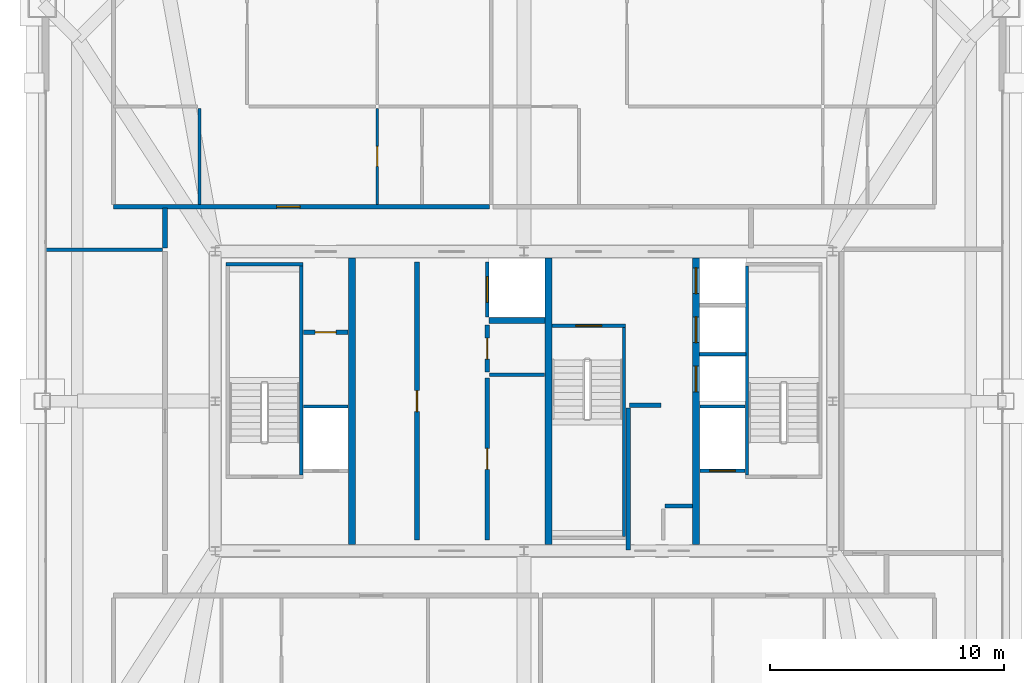
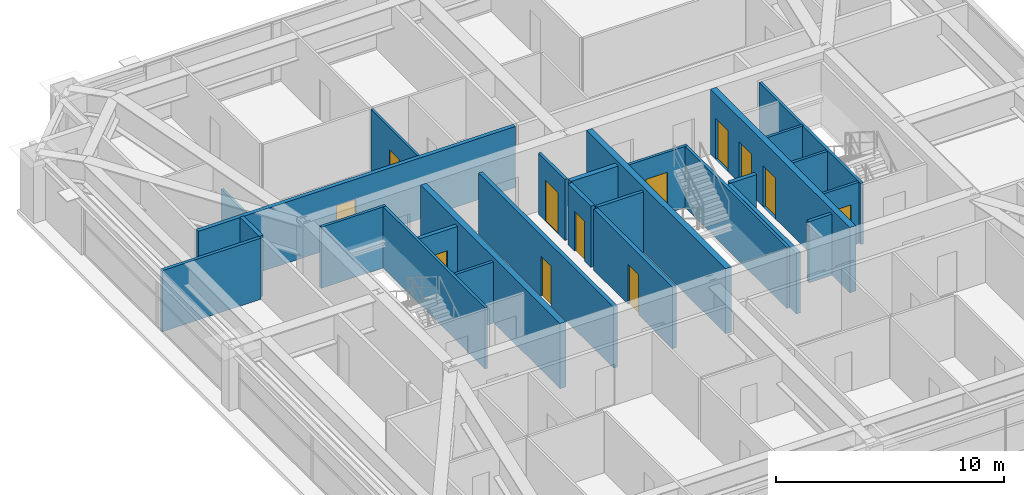
# One storey, part 30 of 33: 27 walls, 12 doors, 12 openings.
"""IFC4 building model written with IfcOpenShell, lengths in metres."""

from ifc_helpers import new_model, si_unit, direction, frame, frame_2d, origin, place, context, subcontext, project, spatial, rectangle, extrude, source, transform, mapped, material, layer, layer_set, type_object, element, fill, save


model = new_model("IFC4")

# Units and contexts
model_context = context("Model", 3, precision=1e-05, world=origin(), true_north=direction((0.0, 1.0)))
body_context = subcontext(model_context, "Body", "Model", "MODEL_VIEW")
ifc_project = project(units=[si_unit("LENGTHUNIT", "METRE"), si_unit("AREAUNIT", "SQUARE_METRE"), si_unit("VOLUMEUNIT", "CUBIC_METRE"), si_unit("PLANEANGLEUNIT", "RADIAN"), si_unit("MASSUNIT", "GRAM", prefix="KILO"), si_unit("THERMODYNAMICTEMPERATUREUNIT", "KELVIN"), si_unit("POWERUNIT", "WATT")], contexts=[model_context])

# Site, building, storey
site_placement = place(None, origin())
site = spatial("IfcSite", under=ifc_project, at=site_placement, CompositionType="ELEMENT")
building_placement = place(site_placement, origin())
building = spatial("IfcBuilding", under=site, at=building_placement, Name="Yuzanri Waterfront Tower", CompositionType="ELEMENT")
storey_placement = place(building_placement, frame((0.0, 0.0, 282.10009765625)))
storey = spatial("IfcBuildingStorey", under=building, at=storey_placement, Name="L75", CompositionType="ELEMENT", Elevation=282.10009765625)

# Wall, opening, door
ifc_material_1 = material(Name="Moisture-Resistant Gypsum Stud Wall", Category="gypsum")
ifc_layer_1 = layer(ifc_material_1, 0.1201171875)
ifc_layer_set_1 = layer_set([ifc_layer_1], Name="Moisture-Resistant Gypsum Stud Wall")
wall_type_1 = type_object("IfcWallType", Name="Bathroom and Kitchen Wet Partition 120", PredefinedType="PARTITIONING", material=ifc_layer_set_1)
wall_1_placement = place(storey_placement, frame((30.722900390625, 34.2099609375, 0.0), z_axis=(0.0, 0.0, 1.0), x_axis=(0.0, 1.0, 0.0)))
wall_1 = element("IfcWall", 1, at=wall_1_placement, inside=storey, type_object=wall_type_1, Name="L75 Partition UW-L75-HN1-SUB-4-W", PredefinedType="PARTITIONING", context=body_context, shape_type="SweptSolid", body=[
    extrude(rectangle(XDim=4.110107421875, YDim=0.1201171875, at=frame_2d((2.05517578125, 0.0))), origin(), (0.0, 0.0, 1.0), 3.27978515625),
])
opening_1_placement = place(wall_1_placement, frame((1.6298828125, 0.0, 0.0)))
opening_1 = element("IfcOpeningElement", 2, at=opening_1_placement, cuts=wall_1, Name="Opening ID-0850", PredefinedType="OPENING", context=body_context, shape_type="SweptSolid", body=[
    extrude(rectangle(XDim=0.85009765625, YDim=2.10009765625, at=frame_2d((0.425048828125, 1.050048828125))), frame((0.0, 0.074951171875, 0.0), z_axis=(0.0, -1.0, 0.0), x_axis=(1.0, 0.0, 0.0)), (0.0, 0.0, 1.0), 0.14990234375),
])
ifc_material_2 = material(Name="Moisture-Resistant Lacquered Timber", Category="wood")
door_type_1 = type_object("IfcDoorType", Name="En-Suite Bathroom and Kitchen Swing Door 850x2100", OperationType="NOTDEFINED", PredefinedType="DOOR", material=ifc_material_2)
shared_shape_1 = source(origin(), body_context, "Body", "SweptSolid", [
    extrude(rectangle(XDim=0.85009765625, YDim=2.10009765625, at=frame_2d((0.425048828125, 1.050048828125))), frame((0.0, 0.02490234375, 0.0), z_axis=(0.0, -1.0, 0.0), x_axis=(1.0, 0.0, 0.0)), (0.0, 0.0, 1.0), 0.050048828125),
])
door_1_placement = place(opening_1_placement, origin())
door_1 = element("IfcDoor", 3, at=door_1_placement, inside=storey, type_object=door_type_1, Name="L75 Suite Interior Room Door", OperationType="SINGLE_SWING_LEFT", OverallHeight=2.10009765625, OverallWidth=0.85009765625, PredefinedType="DOOR", context=body_context, shape_type="MappedRepresentation", body=[
    mapped(shared_shape_1, transform((0.0, 0.0, 0.0), scale=1.0)),
])
fill(opening_1, door_1)

# Wall, openings, doors
ifc_material_3 = material(Name="Concrete C50", Category="concrete")
ifc_layer_2 = layer(ifc_material_3, 0.300048828125)
ifc_layer_set_2 = layer_set([ifc_layer_2], Name="Concrete C50")
wall_type_2 = type_object("IfcWallType", Name="Concrete C50 Internal Core Shaft Structural Wall 300", PredefinedType="SOLIDWALL", material=ifc_layer_set_2)
wall_2_placement = place(storey_placement, frame((44.35009765625, 19.675048828125, 0.0), z_axis=(0.0, 0.0, 1.0), x_axis=(0.0, 1.0, 0.0)))
wall_2 = element("IfcWall", 4, at=wall_2_placement, inside=storey, type_object=wall_type_2, Name="L75 Core Internal Structural Web Wall 3", PredefinedType="SOLIDWALL", context=body_context, shape_type="SweptSolid", body=[
    extrude(rectangle(XDim=12.25, YDim=0.300048828125, at=frame_2d((6.125, 0.0))), origin(), (0.0, 0.0, 1.0), 3.5),
])
opening_2_placement = place(wall_2_placement, frame((6.52490234375, 0.0, 0.0)))
opening_2 = element("IfcOpeningElement", 5, at=opening_2_placement, cuts=wall_2, Name="Opening LD-PL-09", PredefinedType="OPENING", context=body_context, shape_type="SweptSolid", body=[
    extrude(rectangle(XDim=1.10009765625, YDim=2.199951171875, at=frame_2d((0.550048828125, 1.10009765625))), frame((0.0, 0.1650390625, 0.0), z_axis=(0.0, -1.0, 0.0), x_axis=(1.0, 0.0, 0.0)), (0.0, 0.0, 1.0), 0.329833984375),
])
opening_3_placement = place(wall_2_placement, frame((8.625, 0.0, 0.0)))
opening_3 = element("IfcOpeningElement", 6, at=opening_3_placement, cuts=wall_2, Name="Opening LD-PL-10", PredefinedType="OPENING", context=body_context, shape_type="SweptSolid", body=[
    extrude(rectangle(XDim=1.10009765625, YDim=2.199951171875, at=frame_2d((0.550048828125, 1.10009765625))), frame((0.0, 0.1650390625, 0.0), z_axis=(0.0, -1.0, 0.0), x_axis=(1.0, 0.0, 0.0)), (0.0, 0.0, 1.0), 0.329833984375),
])
opening_4_placement = place(wall_2_placement, frame((10.72509765625, 0.0, 0.0)))
opening_4 = element("IfcOpeningElement", 7, at=opening_4_placement, cuts=wall_2, Name="Opening LD-PL-11", PredefinedType="OPENING", context=body_context, shape_type="SweptSolid", body=[
    extrude(rectangle(XDim=1.10009765625, YDim=2.199951171875, at=frame_2d((0.550048828125, 1.10009765625))), frame((0.0, 0.1650390625, 0.0), z_axis=(0.0, -1.0, 0.0), x_axis=(1.0, 0.0, 0.0)), (0.0, 0.0, 1.0), 0.329833984375),
])
ifc_material_4 = material(Name="Brushed Bronze and Stainless Steel Cab", Category="steel")
door_type_2 = type_object("IfcDoorType", Name="Center-Parting Bronze Lift Landing Sliding Door 1100x2200", OperationType="NOTDEFINED", PredefinedType="DOOR", material=ifc_material_4)
shared_shape_2 = source(origin(), body_context, "Body", "SweptSolid", [
    extrude(rectangle(XDim=1.10009765625, YDim=2.199951171875, at=frame_2d((0.550048828125, 1.10009765625))), frame((0.0, 0.02490234375, 0.0), z_axis=(0.0, -1.0, 0.0), x_axis=(1.0, 0.0, 0.0)), (0.0, 0.0, 1.0), 0.050048828125),
])
door_2_placement = place(opening_2_placement, origin())
door_2 = element("IfcDoor", 8, at=door_2_placement, inside=storey, type_object=door_type_2, Name="L75 PL-09 Lift Landing Sliding Door", OperationType="SLIDING_TO_LEFT", OverallHeight=2.199951171875, OverallWidth=1.10009765625, PredefinedType="DOOR", context=body_context, shape_type="MappedRepresentation", body=[
    mapped(shared_shape_2, transform((0.0, 0.0, 0.0), scale=1.0)),
])
fill(opening_2, door_2)
door_3_placement = place(opening_3_placement, origin())
door_3 = element("IfcDoor", 9, at=door_3_placement, inside=storey, type_object=door_type_2, Name="L75 PL-10 Lift Landing Sliding Door", OperationType="SLIDING_TO_RIGHT", OverallHeight=2.199951171875, OverallWidth=1.10009765625, PredefinedType="DOOR", context=body_context, shape_type="MappedRepresentation", body=[
    mapped(shared_shape_2, transform((0.0, 0.0, 0.0), scale=1.0)),
])
fill(opening_3, door_3)
door_4_placement = place(opening_4_placement, origin())
door_4 = element("IfcDoor", 10, at=door_4_placement, inside=storey, type_object=door_type_2, Name="L75 PL-11 Lift Landing Sliding Door", OperationType="SLIDING_TO_LEFT", OverallHeight=2.199951171875, OverallWidth=1.10009765625, PredefinedType="DOOR", context=body_context, shape_type="MappedRepresentation", body=[
    mapped(shared_shape_2, transform((0.0, 0.0, 0.0), scale=1.0)),
])
fill(opening_4, door_4)

# Wall, opening, door
ifc_material_5 = material(Name="Concrete C40", Category="concrete")
ifc_layer_3 = layer(ifc_material_5, 0.139892578125)
ifc_layer_set_3 = layer_set([ifc_layer_3], Name="Concrete C40")
wall_type_3 = type_object("IfcWallType", Name="Core Stair Liner and Hoistway Shaft Wall 140", PredefinedType="SOLIDWALL", material=ifc_layer_set_3)
wall_3_placement = place(storey_placement, frame((44.52001953125, 22.830078125, 0.0), z_axis=(0.0, 0.0, 1.0), x_axis=(1.0, 0.0, 0.0)))
wall_3 = element("IfcWall", 11, at=wall_3_placement, inside=storey, type_object=wall_type_3, Name="L75 Lift FL-02 Front Shaft Wall", PredefinedType="SOLIDWALL", context=body_context, shape_type="SweptSolid", body=[
    extrude(rectangle(XDim=1.919921875, YDim=0.139892578125, at=frame_2d((0.9599609375, 0.0))), origin(), (0.0, 0.0, 1.0), 3.27978515625),
])
opening_5_placement = place(wall_3_placement, frame((0.409912109375, 0.0, 0.0)))
opening_5 = element("IfcOpeningElement", 12, at=opening_5_placement, cuts=wall_3, Name="Opening LD-FL-02", PredefinedType="OPENING", context=body_context, shape_type="SweptSolid", body=[
    extrude(rectangle(XDim=1.10009765625, YDim=2.199951171875, at=frame_2d((0.550048828125, 1.10009765625))), frame((0.0, 0.0849609375, 0.0), z_axis=(0.0, -1.0, 0.0), x_axis=(1.0, 0.0, 0.0)), (0.0, 0.0, 1.0), 0.169677734375),
])
door_5_placement = place(opening_5_placement, origin())
door_5 = element("IfcDoor", 13, at=door_5_placement, inside=storey, type_object=door_type_2, Name="L75 FL-02 Lift Landing Sliding Door", OperationType="SLIDING_TO_RIGHT", OverallHeight=2.199951171875, OverallWidth=1.10009765625, PredefinedType="DOOR", context=body_context, shape_type="MappedRepresentation", body=[
    mapped(shared_shape_2, transform((0.0, 0.0, 0.0), scale=1.0)),
])
fill(opening_5, door_5)

wall_4_placement = place(storey_placement, frame((35.429931640625, 29.39990234375, 0.0), z_axis=(0.0, 0.0, 1.0), x_axis=(0.0, 1.0, 0.0)))
wall_4 = element("IfcWall", 14, at=wall_4_placement, inside=storey, type_object=wall_type_3, Name="L75 Lift SL-02 Front Shaft Wall", PredefinedType="SOLIDWALL", context=body_context, shape_type="SweptSolid", body=[
    extrude(rectangle(XDim=2.340087890625, YDim=0.139892578125, at=frame_2d((1.169921875, 0.0))), origin(), (0.0, 0.0, 1.0), 3.27978515625),
])
opening_6_placement = place(wall_4_placement, frame((0.6201171875, 0.0, 0.0)))
opening_6 = element("IfcOpeningElement", 15, at=opening_6_placement, cuts=wall_4, Name="Opening LD-SL-02", PredefinedType="OPENING", context=body_context, shape_type="SweptSolid", body=[
    extrude(rectangle(XDim=1.10009765625, YDim=2.199951171875, at=frame_2d((0.550048828125, 1.10009765625))), frame((0.0, 0.0849609375, 0.0), z_axis=(0.0, -1.0, 0.0), x_axis=(1.0, 0.0, 0.0)), (0.0, 0.0, 1.0), 0.169677734375),
])
door_6_placement = place(opening_6_placement, origin())
door_6 = element("IfcDoor", 16, at=door_6_placement, inside=storey, type_object=door_type_2, Name="L75 SL-02 Lift Landing Sliding Door", OperationType="SLIDING_TO_RIGHT", OverallHeight=2.199951171875, OverallWidth=1.10009765625, PredefinedType="DOOR", context=body_context, shape_type="MappedRepresentation", body=[
    mapped(shared_shape_2, transform((0.0, 0.0, 0.0), scale=1.0)),
])
fill(opening_6, door_6)

wall_5_placement = place(storey_placement, frame((38.199951171875, 29.030029296875, 0.0), z_axis=(0.0, 0.0, 1.0), x_axis=(1.0, 0.0, 0.0)))
wall_5 = element("IfcWall", 17, at=wall_5_placement, inside=storey, type_object=wall_type_3, Name="L75 Shaft Wall STW-L75-ST-03-N", PredefinedType="SOLIDWALL", context=body_context, shape_type="SweptSolid", body=[
    extrude(rectangle(XDim=3.14013671875, YDim=0.139892578125, at=frame_2d((1.570068359375, 0.0))), origin(), (0.0, 0.0, 1.0), 3.27978515625),
])
opening_7_placement = place(wall_5_placement, frame((1.02001953125, 0.0, 0.0)))
opening_7 = element("IfcOpeningElement", 18, at=opening_7_placement, cuts=wall_5, Name="Opening FD-1100", PredefinedType="OPENING", context=body_context, shape_type="SweptSolid", body=[
    extrude(rectangle(XDim=1.10009765625, YDim=2.199951171875, at=frame_2d((0.550048828125, 1.10009765625))), frame((0.0, 0.0849609375, 0.0), z_axis=(0.0, -1.0, 0.0), x_axis=(1.0, 0.0, 0.0)), (0.0, 0.0, 1.0), 0.169677734375),
])
ifc_material_6 = material(Name="Painted Galvanized Fire Steel", Category="steel")
door_type_3 = type_object("IfcDoorType", Name="Smoke-Proof Stair and Lobby Fire Door 1100x2200", OperationType="NOTDEFINED", PredefinedType="DOOR", material=ifc_material_6)
shared_shape_3 = source(origin(), body_context, "Body", "SweptSolid", [
    extrude(rectangle(XDim=1.10009765625, YDim=2.199951171875, at=frame_2d((0.550048828125, 1.10009765625))), frame((0.0, 0.02490234375, 0.0), z_axis=(0.0, -1.0, 0.0), x_axis=(1.0, 0.0, 0.0)), (0.0, 0.0, 1.0), 0.050048828125),
])
door_7_placement = place(opening_7_placement, origin())
door_7 = element("IfcDoor", 19, at=door_7_placement, inside=storey, type_object=door_type_3, Name="L75 Stair ST-03 Fire Door", OperationType="SINGLE_SWING_LEFT", OverallHeight=2.199951171875, OverallWidth=1.10009765625, PredefinedType="DOOR", context=body_context, shape_type="MappedRepresentation", body=[
    mapped(shared_shape_3, transform((0.0, 0.0, 0.0), scale=1.0)),
])
fill(opening_7, door_7)

ifc_material_7 = material(Name="Autoclaved Aerated Concrete Blockwork", Category="masonry")
ifc_layer_4 = layer(ifc_material_7, 0.199951171875)
ifc_layer_set_4 = layer_set([ifc_layer_4], Name="Autoclaved Aerated Concrete Blockwork")
wall_type_4 = type_object("IfcWallType", Name="Corridor and Unit Party Fire Wall 200", PredefinedType="PARTITIONING", material=ifc_layer_set_4)
wall_6_placement = place(storey_placement, frame((27.56005859375, 28.75, 0.0), z_axis=(0.0, 0.0, 1.0), x_axis=(1.0, 0.0, 0.0)))
wall_6 = element("IfcWall", 20, at=wall_6_placement, inside=storey, type_object=wall_type_4, Name="L75 Partition CRW-L75-ERTR", PredefinedType="PARTITIONING", context=body_context, shape_type="SweptSolid", body=[
    extrude(rectangle(XDim=1.919921875, YDim=0.199951171875, at=frame_2d((0.9599609375, 0.0))), origin(), (0.0, 0.0, 1.0), 3.27978515625),
])
opening_8_placement = place(wall_6_placement, frame((0.510009765625, 0.0, 0.0)))
opening_8 = element("IfcOpeningElement", 21, at=opening_8_placement, cuts=wall_6, Name="Opening FD-0900", PredefinedType="OPENING", context=body_context, shape_type="SweptSolid", body=[
    extrude(rectangle(XDim=0.89990234375, YDim=2.14990234375, at=frame_2d((0.449951171875, 1.074951171875))), frame((0.0, 0.11474609375, 0.0), z_axis=(0.0, -1.0, 0.0), x_axis=(1.0, 0.0, 0.0)), (0.0, 0.0, 1.0), 0.229736328125),
])
ifc_material_8 = material(Name="Painted Galvanized Fire Steel", Category="steel")
door_type_4 = type_object("IfcDoorType", Name="Riser and Service Room Fire Door 900x2150", OperationType="NOTDEFINED", PredefinedType="DOOR", material=ifc_material_8)
shared_shape_4 = source(origin(), body_context, "Body", "SweptSolid", [
    extrude(rectangle(XDim=0.89990234375, YDim=2.14990234375, at=frame_2d((0.449951171875, 1.074951171875))), frame((0.0, 0.02490234375, 0.0), z_axis=(0.0, -1.0, 0.0), x_axis=(1.0, 0.0, 0.0)), (0.0, 0.0, 1.0), 0.050048828125),
])
door_8_placement = place(opening_8_placement, origin())
door_8 = element("IfcDoor", 22, at=door_8_placement, inside=storey, type_object=door_type_4, Name="L75 Electrical Riser Door", OperationType="SINGLE_SWING_LEFT", OverallHeight=2.14990234375, OverallWidth=0.89990234375, PredefinedType="DOOR", context=body_context, shape_type="MappedRepresentation", body=[
    mapped(shared_shape_4, transform((0.0, 0.0, 0.0), scale=1.0)),
])
fill(opening_8, door_8)

wall_7_placement = place(storey_placement, frame((32.419921875, 19.860107421875, 0.0), z_axis=(0.0, 0.0, 1.0), x_axis=(0.0, 1.0, 0.0)))
wall_7 = element("IfcWall", 23, at=wall_7_placement, inside=storey, type_object=wall_type_4, Name="L75 Partition CRW-L75-B1R-1", PredefinedType="PARTITIONING", context=body_context, shape_type="SweptSolid", body=[
    extrude(rectangle(XDim=11.8798828125, YDim=0.199951171875, at=frame_2d((5.93994140625, 0.0))), origin(), (0.0, 0.0, 1.0), 3.27978515625),
])
opening_9_placement = place(wall_7_placement, frame((5.489990234375, 0.0, 0.0)))
opening_9 = element("IfcOpeningElement", 24, at=opening_9_placement, cuts=wall_7, Name="Opening FD-0900", PredefinedType="OPENING", context=body_context, shape_type="SweptSolid", body=[
    extrude(rectangle(XDim=0.89990234375, YDim=2.14990234375, at=frame_2d((0.449951171875, 1.074951171875))), frame((0.0, 0.11474609375, 0.0), z_axis=(0.0, -1.0, 0.0), x_axis=(1.0, 0.0, 0.0)), (0.0, 0.0, 1.0), 0.229736328125),
])
door_9_placement = place(opening_9_placement, origin())
door_9 = element("IfcDoor", 25, at=door_9_placement, inside=storey, type_object=door_type_4, Name="L75 Private Store Room", OperationType="SINGLE_SWING_RIGHT", OverallHeight=2.14990234375, OverallWidth=0.89990234375, PredefinedType="DOOR", context=body_context, shape_type="MappedRepresentation", body=[
    mapped(shared_shape_4, transform((0.0, 0.0, 0.0), scale=1.0)),
])
fill(opening_9, door_9)

wall_8_placement = place(storey_placement, frame((35.419921875, 19.860107421875, 0.0), z_axis=(0.0, 0.0, 1.0), x_axis=(0.0, 1.0, 0.0)))
wall_8 = element("IfcWall", 26, at=wall_8_placement, inside=storey, type_object=wall_type_4, Name="L75 Partition CRW-L75-B2R-1", PredefinedType="PARTITIONING", context=body_context, shape_type="SweptSolid", body=[
    extrude(rectangle(XDim=6.93994140625, YDim=0.199951171875, at=frame_2d((3.469970703125, 0.0))), origin(), (0.0, 0.0, 1.0), 3.27978515625),
])
opening_10_placement = place(wall_8_placement, frame((3.02001953125, 0.0, 0.0)))
opening_10 = element("IfcOpeningElement", 27, at=opening_10_placement, cuts=wall_8, Name="Opening FD-0900", PredefinedType="OPENING", context=body_context, shape_type="SweptSolid", body=[
    extrude(rectangle(XDim=0.89990234375, YDim=2.14990234375, at=frame_2d((0.449951171875, 1.074951171875))), frame((0.0, 0.11474609375, 0.0), z_axis=(0.0, -1.0, 0.0), x_axis=(1.0, 0.0, 0.0)), (0.0, 0.0, 1.0), 0.229736328125),
])
door_10_placement = place(opening_10_placement, origin())
door_10 = element("IfcDoor", 28, at=door_10_placement, inside=storey, type_object=door_type_4, Name="L75 East Common Store Room", OperationType="SINGLE_SWING_LEFT", OverallHeight=2.14990234375, OverallWidth=0.89990234375, PredefinedType="DOOR", context=body_context, shape_type="MappedRepresentation", body=[
    mapped(shared_shape_4, transform((0.0, 0.0, 0.0), scale=1.0)),
])
fill(opening_10, door_10)

wall_9_placement = place(storey_placement, frame((35.419921875, 27.050048828125, 0.0), z_axis=(0.0, 0.0, 1.0), x_axis=(0.0, 1.0, 0.0)))
wall_9 = element("IfcWall", 29, at=wall_9_placement, inside=storey, type_object=wall_type_4, Name="L75 Partition CRW-L75-B2R-2", PredefinedType="PARTITIONING", context=body_context, shape_type="SweptSolid", body=[
    extrude(rectangle(XDim=2.0, YDim=0.199951171875, at=frame_2d((1.0, 0.0))), origin(), (0.0, 0.0, 1.0), 3.27978515625),
])
opening_11_placement = place(wall_9_placement, frame((0.550048828125, 0.0, 0.0)))
opening_11 = element("IfcOpeningElement", 30, at=opening_11_placement, cuts=wall_9, Name="Opening FD-0900", PredefinedType="OPENING", context=body_context, shape_type="SweptSolid", body=[
    extrude(rectangle(XDim=0.89990234375, YDim=2.14990234375, at=frame_2d((0.449951171875, 1.074951171875))), frame((0.0, 0.11474609375, 0.0), z_axis=(0.0, -1.0, 0.0), x_axis=(1.0, 0.0, 0.0)), (0.0, 0.0, 1.0), 0.229736328125),
])
door_11_placement = place(opening_11_placement, origin())
door_11 = element("IfcDoor", 31, at=door_11_placement, inside=storey, type_object=door_type_4, Name="L75 Service Duct Shaft", OperationType="SINGLE_SWING_RIGHT", OverallHeight=2.14990234375, OverallWidth=0.89990234375, PredefinedType="DOOR", context=body_context, shape_type="MappedRepresentation", body=[
    mapped(shared_shape_4, transform((0.0, 0.0, 0.0), scale=1.0)),
])
fill(opening_11, door_11)

wall_10_placement = place(storey_placement, frame((19.43994140625, 34.110107421875, 0.0), z_axis=(0.0, 0.0, 1.0), x_axis=(1.0, 0.0, 0.0)))
wall_10 = element("IfcWall", 32, at=wall_10_placement, inside=storey, type_object=wall_type_4, Name="L75 Partition UW-L75-HN1-CS", PredefinedType="PARTITIONING", context=body_context, shape_type="SweptSolid", body=[
    extrude(rectangle(XDim=16.074951171875, YDim=0.199951171875, at=frame_2d((8.03759765625, 0.0))), origin(), (0.0, 0.0, 1.0), 3.27978515625),
])
opening_12_placement = place(wall_10_placement, frame((6.98193359375, 0.0, 0.0)))
opening_12 = element("IfcOpeningElement", 33, at=opening_12_placement, cuts=wall_10, Name="Opening FD-1000", PredefinedType="OPENING", context=body_context, shape_type="SweptSolid", body=[
    extrude(rectangle(XDim=1.0, YDim=2.199951171875, at=frame_2d((0.5, 1.10009765625))), frame((0.0, 0.11474609375, 0.0), z_axis=(0.0, -1.0, 0.0), x_axis=(1.0, 0.0, 0.0)), (0.0, 0.0, 1.0), 0.229736328125),
])
ifc_material_9 = material(Name="Engineered Oak Fire-Rated Timber", Category="wood")
door_type_5 = type_object("IfcDoorType", Name="Guestroom and Apartment Entrance Fire Door 1000x2200", OperationType="NOTDEFINED", PredefinedType="DOOR", material=ifc_material_9)
shared_shape_5 = source(origin(), body_context, "Body", "SweptSolid", [
    extrude(rectangle(XDim=1.0, YDim=2.199951171875, at=frame_2d((0.5, 1.10009765625))), frame((0.0, 0.02490234375, 0.0), z_axis=(0.0, -1.0, 0.0), x_axis=(1.0, 0.0, 0.0)), (0.0, 0.0, 1.0), 0.050048828125),
])
door_12_placement = place(opening_12_placement, origin())
door_12 = element("IfcDoor", 34, at=door_12_placement, inside=storey, type_object=door_type_5, Name="L75 Apartment Living Room Entrance Door", OperationType="SINGLE_SWING_LEFT", OverallHeight=2.199951171875, OverallWidth=1.0, PredefinedType="DOOR", context=body_context, shape_type="MappedRepresentation", body=[
    mapped(shared_shape_5, transform((0.0, 0.0, 0.0), scale=1.0)),
])
fill(opening_12, door_12)

# Walls
shared_shape_6 = source(origin(), body_context, "Body", "SweptSolid", [
    extrude(rectangle(XDim=12.25, YDim=0.300048828125, at=frame_2d((6.125, 0.0))), origin(), (0.0, 0.0, 1.0), 3.5),
])
for number, where, z_axis, x_axis, name in (
    (35, (29.64990234375, 19.675048828125, 0.0), (0.0, 0.0, 1.0), (0.0, 1.0, 0.0), "L75 Core Internal Structural Web Wall 1"),
    (36, (38.050048828125, 19.675048828125, 0.0), (0.0, 0.0, 1.0), (0.0, 1.0, 0.0), "L75 Core Internal Structural Web Wall 2"),
):
    element("IfcWall", number, at=place(storey_placement, frame(where, z_axis=z_axis, x_axis=x_axis)), inside=storey, type_object=wall_type_2, Name=name, PredefinedType="SOLIDWALL", context=body_context, shape_type="MappedRepresentation", body=[
        mapped(shared_shape_6, transform((0.0, 0.0, 0.0), scale=1.0)),
    ])
shared_shape_7 = source(origin(), body_context, "Body", "SweptSolid", [
    extrude(rectangle(XDim=1.919921875, YDim=0.139892578125, at=frame_2d((0.9599609375, 0.0))), origin(), (0.0, 0.0, 1.0), 3.27978515625),
])
for number, where, z_axis, x_axis, name in (
    (37, (27.56005859375, 25.570068359375, 0.0), (0.0, 0.0, 1.0), (1.0, 0.0, 0.0), "L75 Lift FL-01 Back Shaft Wall"),
    (38, (44.52001953125, 25.570068359375, 0.0), (0.0, 0.0, 1.0), (1.0, 0.0, 0.0), "L75 Lift FL-02 Back Shaft Wall"),
):
    element("IfcWall", number, at=place(storey_placement, frame(where, z_axis=z_axis, x_axis=x_axis)), inside=storey, type_object=wall_type_3, Name=name, PredefinedType="SOLIDWALL", context=body_context, shape_type="MappedRepresentation", body=[
        mapped(shared_shape_7, transform((0.0, 0.0, 0.0), scale=1.0)),
    ])
ifc_material_10 = material(Name="Concrete C40", Category="concrete")
ifc_layer_5 = layer(ifc_material_10, 0.25)
ifc_layer_set_5 = layer_set([ifc_layer_5], Name="Concrete C40")
wall_type_5 = type_object("IfcWallType", Name="Smoke-Proof Stair and Lift Shaft Wall 250", PredefinedType="SOLIDWALL", material=ifc_layer_set_5)
shared_shape_8 = source(origin(), body_context, "Body", "SweptSolid", [
    extrude(rectangle(XDim=2.39990234375, YDim=0.25, at=frame_2d((1.199951171875, 0.0))), origin(), (0.0, 0.0, 1.0), 3.27978515625),
])
wall_11_placement = place(storey_placement, frame((35.5, 29.25, 0.0), z_axis=(0.0, 0.0, 1.0), x_axis=(1.0, 0.0, 0.0)))
element("IfcWall", 39, at=wall_11_placement, inside=storey, type_object=wall_type_5, Name="L75 Lift SL-02 South Shaft Wall", PredefinedType="SOLIDWALL", context=body_context, shape_type="MappedRepresentation", body=[
    mapped(shared_shape_8, transform((0.0, 0.0, 0.0), scale=1.0)),
])
shared_shape_9 = source(origin(), body_context, "Body", "SweptSolid", [
    extrude(rectangle(XDim=2.0, YDim=0.139892578125, at=frame_2d((1.0, 0.0))), origin(), (0.0, 0.0, 1.0), 3.27978515625),
])
wall_12_placement = place(storey_placement, frame((44.5, 27.800048828125, 0.0), z_axis=(0.0, 0.0, 1.0), x_axis=(1.0, 0.0, 0.0)))
element("IfcWall", 40, at=wall_12_placement, inside=storey, type_object=wall_type_3, Name="L75 Lift PL-09 Divider Wall", PredefinedType="SOLIDWALL", context=body_context, shape_type="MappedRepresentation", body=[
    mapped(shared_shape_9, transform((0.0, 0.0, 0.0), scale=1.0)),
])
shared_shape_10 = source(origin(), body_context, "Body", "SweptSolid", [
    extrude(rectangle(XDim=3.280029296875, YDim=0.139892578125, at=frame_2d((1.64013671875, 0.0))), origin(), (0.0, 0.0, 1.0), 3.27978515625),
])
wall_13_placement = place(storey_placement, frame((24.260009765625, 31.64990234375, 0.0), z_axis=(0.0, 0.0, 1.0), x_axis=(1.0, 0.0, 0.0)))
element("IfcWall", 41, at=wall_13_placement, inside=storey, type_object=wall_type_3, Name="L75 Stair ST-01 North Shaft Wall", PredefinedType="SOLIDWALL", context=body_context, shape_type="MappedRepresentation", body=[
    mapped(shared_shape_10, transform((0.0, 0.0, 0.0), scale=1.0)),
])
shared_shape_11 = source(origin(), body_context, "Body", "SweptSolid", [
    extrude(rectangle(XDim=8.940185546875, YDim=0.139892578125, at=frame_2d((4.47021484375, 0.0))), origin(), (0.0, 0.0, 1.0), 3.27978515625),
])
for number, where, z_axis, x_axis, name in (
    (42, (27.469970703125, 22.639892578125, 0.0), (0.0, 0.0, 1.0), (0.0, 1.0, 0.0), "L75 Stair ST-01 East Shaft Wall"),
    (43, (46.530029296875, 22.639892578125, 0.0), (0.0, 0.0, 1.0), (0.0, 1.0, 0.0), "L75 Stair ST-02 West Shaft Wall"),
):
    element("IfcWall", number, at=place(storey_placement, frame(where, z_axis=z_axis, x_axis=x_axis)), inside=storey, type_object=wall_type_3, Name=name, PredefinedType="SOLIDWALL", context=body_context, shape_type="MappedRepresentation", body=[
        mapped(shared_shape_11, transform((0.0, 0.0, 0.0), scale=1.0)),
    ])
shared_shape_12 = source(origin(), body_context, "Body", "SweptSolid", [
    extrude(rectangle(XDim=8.93994140625, YDim=0.139892578125, at=frame_2d((4.469970703125, 0.0))), origin(), (0.0, 0.0, 1.0), 3.27978515625),
])
wall_14_placement = place(storey_placement, frame((41.27001953125, 20.02001953125, 0.0), z_axis=(0.0, 0.0, 1.0), x_axis=(0.0, 1.0, 0.0)))
element("IfcWall", 44, at=wall_14_placement, inside=storey, type_object=wall_type_3, Name="L75 Stair ST-03 East Shaft Wall", PredefinedType="SOLIDWALL", context=body_context, shape_type="MappedRepresentation", body=[
    mapped(shared_shape_12, transform((0.0, 0.0, 0.0), scale=1.0)),
])
ifc_material_11 = material(Name="Gypsum Fireboard Acoustic Stud Wall", Category="gypsum")
ifc_layer_6 = layer(ifc_material_11, 0.159912109375)
ifc_layer_set_6 = layer_set([ifc_layer_6], Name="Gypsum Fireboard Acoustic Stud Wall")
wall_type_6 = type_object("IfcWallType", Name="Acoustic Suite Demising Partition 160", PredefinedType="PARTITIONING", material=ifc_layer_set_6)
shared_shape_13 = source(origin(), body_context, "Body", "SweptSolid", [
    extrude(rectangle(XDim=1.169921875, YDim=0.159912109375, at=frame_2d((0.5849609375, 0.0))), origin(), (0.0, 0.0, 1.0), 3.27978515625),
])
wall_15_placement = place(storey_placement, frame((43.030029296875, 21.320068359375, 0.0), z_axis=(0.0, 0.0, 1.0), x_axis=(1.0, 0.0, 0.0)))
element("IfcWall", 45, at=wall_15_placement, inside=storey, type_object=wall_type_6, Name="L75 East Wet Riser North Wall", PredefinedType="PARTITIONING", context=body_context, shape_type="MappedRepresentation", body=[
    mapped(shared_shape_13, transform((0.0, 0.0, 0.0), scale=1.0)),
])
shared_shape_14 = source(origin(), body_context, "Body", "SweptSolid", [
    extrude(rectangle(XDim=2.35986328125, YDim=0.159912109375, at=frame_2d((1.179931640625, 0.0))), origin(), (0.0, 0.0, 1.0), 3.27978515625),
])
wall_16_placement = place(storey_placement, frame((35.52001953125, 26.929931640625, 0.0), z_axis=(0.0, 0.0, 1.0), x_axis=(1.0, 0.0, 0.0)))
element("IfcWall", 46, at=wall_16_placement, inside=storey, type_object=wall_type_6, Name="L75 Reclaimed High-Zone Divider 2", PredefinedType="PARTITIONING", context=body_context, shape_type="MappedRepresentation", body=[
    mapped(shared_shape_14, transform((0.0, 0.0, 0.0), scale=1.0)),
])
shared_shape_15 = source(origin(), body_context, "Body", "SweptSolid", [
    extrude(rectangle(XDim=6.06005859375, YDim=0.199951171875, at=frame_2d((3.030029296875, 0.0))), origin(), (0.0, 0.0, 1.0), 3.27978515625),
])
wall_17_placement = place(storey_placement, frame((41.449951171875, 19.43994140625, 0.0), z_axis=(0.0, 0.0, 1.0), x_axis=(0.0, 1.0, 0.0)))
element("IfcWall", 47, at=wall_17_placement, inside=storey, type_object=wall_type_4, Name="L75 Core BOH West Wall 1", PredefinedType="PARTITIONING", context=body_context, shape_type="MappedRepresentation", body=[
    mapped(shared_shape_15, transform((0.0, 0.0, 0.0), scale=1.0)),
])
shared_shape_16 = source(origin(), body_context, "Body", "SweptSolid", [
    extrude(rectangle(XDim=1.35009765625, YDim=0.199951171875, at=frame_2d((0.675048828125, 0.0))), origin(), (0.0, 0.0, 1.0), 3.27978515625),
])
wall_18_placement = place(storey_placement, frame((41.5, 25.6201171875, 0.0), z_axis=(0.0, 0.0, 1.0), x_axis=(1.0, 0.0, 0.0)))
element("IfcWall", 48, at=wall_18_placement, inside=storey, type_object=wall_type_4, Name="L75 Core BOH Split Wall 1", PredefinedType="PARTITIONING", context=body_context, shape_type="MappedRepresentation", body=[
    mapped(shared_shape_16, transform((0.0, 0.0, 0.0), scale=1.0)),
])
shared_shape_17 = source(origin(), body_context, "Body", "SweptSolid", [
    extrude(rectangle(XDim=1.699951171875, YDim=0.199951171875, at=frame_2d((0.85009765625, 0.0))), origin(), (0.0, 0.0, 1.0), 3.27978515625),
])
wall_19_placement = place(storey_placement, frame((21.64990234375, 32.35009765625, 0.0), z_axis=(0.0, 0.0, 1.0), x_axis=(0.0, 1.0, 0.0)))
element("IfcWall", 49, at=wall_19_placement, inside=storey, type_object=wall_type_4, Name="L75 North Foyer West End Wall", PredefinedType="PARTITIONING", context=body_context, shape_type="MappedRepresentation", body=[
    mapped(shared_shape_17, transform((0.0, 0.0, 0.0), scale=1.0)),
])
shared_shape_18 = source(origin(), body_context, "Body", "SweptSolid", [
    extrude(rectangle(XDim=4.110107421875, YDim=0.1201171875, at=frame_2d((2.05517578125, 0.0))), origin(), (0.0, 0.0, 1.0), 1.6748046875),
])
wall_20_placement = place(storey_placement, frame((23.1201171875, 34.2099609375, 0.0), z_axis=(0.0, 0.0, 1.0), x_axis=(0.0, 1.0, 0.0)))
element("IfcWall", 50, at=wall_20_placement, inside=storey, type_object=wall_type_1, Name="L75 Partition UW-L75-HN1-SUB-1-E", PredefinedType="PARTITIONING", context=body_context, shape_type="MappedRepresentation", body=[
    mapped(shared_shape_18, transform((0.0, 0.0, 0.0), scale=1.0)),
])
shared_shape_19 = source(origin(), body_context, "Body", "SweptSolid", [
    extrude(rectangle(XDim=5.0, YDim=0.159912109375, at=frame_2d((2.5, 0.0))), origin(), (0.0, 0.0, 1.0), 3.27978515625),
])
wall_21_placement = place(storey_placement, frame((16.550048828125, 32.27001953125, 0.0), z_axis=(0.0, 0.0, 1.0), x_axis=(1.0, 0.0, 0.0)))
element("IfcWall", 51, at=wall_21_placement, inside=storey, type_object=wall_type_6, Name="L75-045 Wing North End Wall", PredefinedType="PARTITIONING", context=body_context, shape_type="MappedRepresentation", body=[
    mapped(shared_shape_19, transform((0.0, 0.0, 0.0), scale=1.0)),
])

save(model, "model.ifc")
